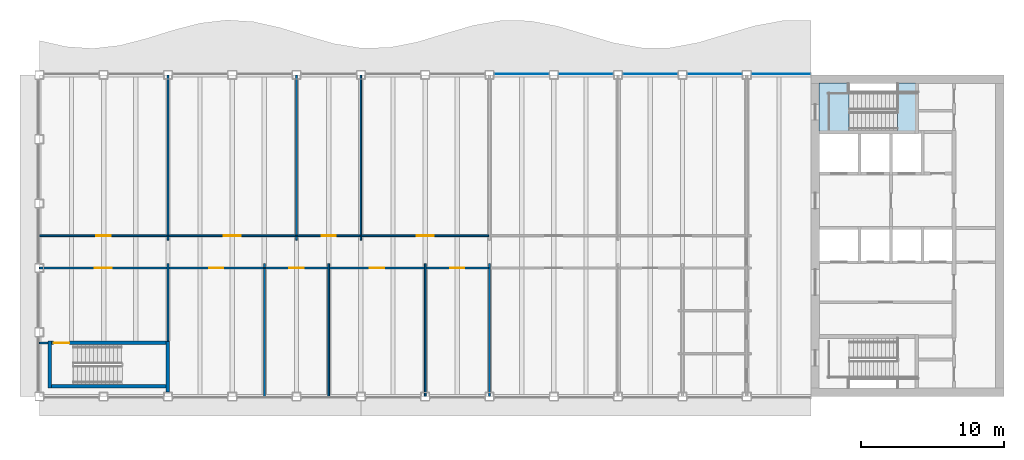
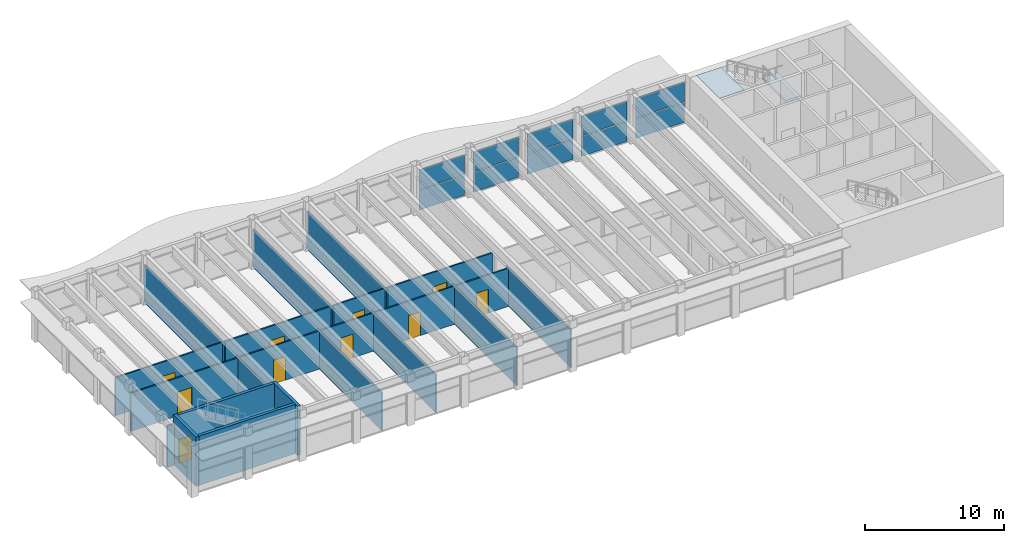
# One storey, part 8 of 14: 22 walls, 10 doors, 10 plates, 2 slabs, 10 openings, 6 elements without a shape of their own.
"""IFC4 building model written with IfcOpenShell, lengths in metres."""

import ifcopenshell
import ifcopenshell.guid

model = None  # the IFC model being written
_history = None  # IfcOwnerHistory: only IFC2X3 demands one
_inside = {}  # id of a spatial element -> (the spatial element, [elements in it])
_under = {}  # id of a project, library or spatial element -> (it, [spatial elements below it])
_declared = {}  # id of a project -> (the project, [libraries it declares])
_typed = {}  # id of a type object -> (the type object, [elements of that type])
_made_of = {}  # id of a material, layer set ... -> (it, [elements and type objects made of it])


def new_model(schema):
    """Start an empty IFC model of exactly this schema.

    Asked for "IFC4X3", IfcOpenShell would pick the latest addendum, in which some entities
    have other attributes; the version numbers below select the first issue.
    IFC2X3 requires an IfcOwnerHistory on every rooted entity: one is made here for all.
    """
    global model, _history
    if schema == "IFC4X3":
        model = ifcopenshell.file(schema_version=(4, 3, 0, 0))
    else:
        model = ifcopenshell.file(schema=schema)
    _inside.clear()
    _under.clear()
    _declared.clear()
    _typed.clear()
    _made_of.clear()
    _history = None
    if model.schema == "IFC2X3":
        org = make("IfcOrganization", Name="unknown")
        user = make(
            "IfcPersonAndOrganization",
            ThePerson=make("IfcPerson", FamilyName="unknown"),
            TheOrganization=org,
        )
        app = make(
            "IfcApplication",
            ApplicationDeveloper=org,
            Version="unknown",
            ApplicationFullName="unknown",
            ApplicationIdentifier="unknown",
        )
        _history = make(
            "IfcOwnerHistory",
            OwningUser=user,
            OwningApplication=app,
            ChangeAction="ADDED",
            CreationDate=0,
        )
    return model


def make(cls, **values):
    """One entity of the class cls with the attributes given. An attribute that is None is left unset."""
    return model.create_entity(
        cls, **{name: value for name, value in values.items() if value is not None}
    )


def rooted(cls, **values):
    """An entity with a GlobalId (a new one), such as an element, a storey or a relation."""
    return make(cls, GlobalId=ifcopenshell.guid.new(), OwnerHistory=_history, **values)


def si_unit(unit_type, name, prefix=None):
    """IfcSIUnit, for example si_unit("LENGTHUNIT", "METRE", prefix="MILLI")."""
    return make("IfcSIUnit", UnitType=unit_type, Prefix=prefix, Name=name)


def assignment(units):
    """IfcUnitAssignment: the units of a project."""
    return None if units is None else make("IfcUnitAssignment", Units=units)


def point(xyz):
    """IfcCartesianPoint."""
    return None if xyz is None else make("IfcCartesianPoint", Coordinates=xyz)


def direction(xyz):
    """IfcDirection."""
    return None if xyz is None else make("IfcDirection", DirectionRatios=xyz)


def frame(location, z_axis=None, x_axis=None):
    """IfcAxis2Placement3D, a coordinate frame: its origin and axes. An axis left out is left unset."""
    return make(
        "IfcAxis2Placement3D",
        Location=point(location),
        Axis=direction(z_axis),
        RefDirection=direction(x_axis),
    )


def frame_2d(location, x_axis=None):
    """IfcAxis2Placement2D, a coordinate frame in the plane: its origin and x axis."""
    return make(
        "IfcAxis2Placement2D", Location=point(location), RefDirection=direction(x_axis)
    )


def origin():
    """The frame at (0, 0, 0) with its axes left unset."""
    return frame((0.0, 0.0, 0.0))


def origin_2d():
    """The frame at (0, 0) in the plane with its x axis left unset."""
    return frame_2d((0.0, 0.0))


def place(relative_to, where):
    """IfcLocalPlacement: puts the frame where relative to a parent placement (None: the world)."""
    return make(
        "IfcLocalPlacement", PlacementRelTo=relative_to, RelativePlacement=where
    )


def context(
    kind, dimensions, precision=None, world=None, true_north=None, identifier=None
):
    """IfcGeometricRepresentationContext, for example the 3D "Model" context."""
    return make(
        "IfcGeometricRepresentationContext",
        ContextIdentifier=identifier,
        ContextType=kind,
        CoordinateSpaceDimension=dimensions,
        Precision=precision,
        WorldCoordinateSystem=world,
        TrueNorth=true_north,
    )


def subcontext(parent, identifier, kind, view, scale=None):
    """IfcGeometricRepresentationSubContext, for example "Body" below "Model"."""
    return make(
        "IfcGeometricRepresentationSubContext",
        ContextIdentifier=identifier,
        ContextType=kind,
        ParentContext=parent,
        TargetScale=scale,
        TargetView=view,
    )


def project(units=None, contexts=None):
    """IfcProject with its units and contexts."""
    return rooted(
        "IfcProject",
        Name="project",
        RepresentationContexts=contexts,
        UnitsInContext=assignment(units),
    )


def spatial(cls, under=None, at=None, **own):
    """A site, building, storey or space (cls), placed at a placement, below another one or the project."""
    s = rooted(cls, ObjectPlacement=at, **own)
    if under is not None:
        _under.setdefault(under.id(), (under, []))[1].append(s)
    return s


def polyline(points):
    """IfcPolyline through the points."""
    return make("IfcPolyline", Points=[point(p) for p in points])


def profile(cls, at=None, kind="AREA", **sizes):
    """A parametric profile (cls). Its sizes go by their IFC names, for example OverallWidth=200.0."""
    return make(cls, ProfileType=kind, Position=at, **sizes)


def rectangle(**sizes):
    """IfcRectangleProfileDef."""
    return profile("IfcRectangleProfileDef", **sizes)


def outline(outer, holes=None, kind="AREA"):
    """IfcArbitraryClosedProfileDef: a profile drawn as a closed curve; with holes, ...WithVoids."""
    if holes is None:
        return make("IfcArbitraryClosedProfileDef", ProfileType=kind, OuterCurve=outer)
    return make(
        "IfcArbitraryProfileDefWithVoids",
        ProfileType=kind,
        OuterCurve=outer,
        InnerCurves=holes,
    )


def extrude(swept, where, along, depth):
    """IfcExtrudedAreaSolid: the profile swept, set in the frame where, extruded along a direction by depth."""
    return make(
        "IfcExtrudedAreaSolid",
        SweptArea=swept,
        Position=where,
        ExtrudedDirection=direction(along),
        Depth=depth,
    )


def shape(context_of_items, identifier, shape_type, items):
    """IfcShapeRepresentation: the items that make up one representation, for example the "Body"."""
    return make(
        "IfcShapeRepresentation",
        ContextOfItems=context_of_items,
        RepresentationIdentifier=identifier,
        RepresentationType=shape_type,
        Items=items,
    )


def material(Name=None, Category=None):
    """IfcMaterial."""
    return make("IfcMaterial", Name=Name, Category=Category)


def layer(
    of_material, thickness, ventilated=None, Name=None, Category=None, Priority=None
):
    """IfcMaterialLayer: one layer of a wall or slab, of a material (None: an air gap)."""
    return make(
        "IfcMaterialLayer",
        Material=of_material,
        LayerThickness=thickness,
        IsVentilated=ventilated,
        Name=Name,
        Category=Category,
        Priority=Priority,
    )


def layer_set(layers, Name=None):
    """IfcMaterialLayerSet."""
    return make("IfcMaterialLayerSet", MaterialLayers=layers, LayerSetName=Name)


def made_of(thing, what):
    """Note that an element or type object is made of a material, layer set ...; save() writes the relation."""
    if what is not None:
        _made_of.setdefault(what.id(), (what, []))[1].append(thing)
    return thing


def type_object(cls, material=None, **own):
    """A type object (cls), such as IfcWallType, which elements share."""
    return made_of(rooted(cls, **own), material)


def element(
    cls,
    number,
    at=None,
    inside=None,
    cuts=None,
    type_object=None,
    material=None,
    context=None,
    identifier="Body",
    shape_type=None,
    held_by="IfcProductDefinitionShape",
    body=None,
    shapes=None,
    **own,
):
    """One element of the class cls, such as IfcWall. Its Tag is "e" and its number.

    at: its placement. inside: the storey or other place that contains it. cuts: it is an
    opening in that element (IfcRelVoidsElement). A single representation is given by context,
    identifier, shape_type and body (its items); several are given by shapes. held_by: the class
    of the entity that holds the representations. save() writes the other relations.
    """
    e = rooted(cls, Tag="e%d" % number, ObjectPlacement=at, **own)
    if body is not None:
        shapes = [shape(context, identifier, shape_type, body)]
    if shapes is not None:
        e.Representation = make(held_by, Representations=shapes)
    if inside is not None:
        _inside.setdefault(inside.id(), (inside, []))[1].append(e)
    if cuts is not None:
        rooted(
            "IfcRelVoidsElement", RelatingBuildingElement=cuts, RelatedOpeningElement=e
        )
    if type_object is not None:
        _typed.setdefault(type_object.id(), (type_object, []))[1].append(e)
    return made_of(e, material)


def fill(opening, filler):
    """IfcRelFillsElement: the door or window that sits in an opening."""
    return rooted(
        "IfcRelFillsElement",
        RelatingOpeningElement=opening,
        RelatedBuildingElement=filler,
    )


def aggregate(whole, parts):
    """IfcRelAggregates: a whole, such as a stair, and the parts it consists of."""
    return rooted("IfcRelAggregates", RelatingObject=whole, RelatedObjects=parts)


def save(model, path):
    """Write the relations noted so far, then the file.

    IfcRelAggregates (storeys below a building ...), IfcRelContainedInSpatialStructure (elements
    in a storey), IfcRelDefinesByType, IfcRelAssociatesMaterial and IfcRelDeclares: one each for
    every whole, place, type object, material and project.
    """
    for whole, parts in _under.values():
        aggregate(whole, parts)
    for where, things in _inside.values():
        rooted(
            "IfcRelContainedInSpatialStructure",
            RelatedElements=things,
            RelatingStructure=where,
        )
    for kind, things in _typed.values():
        rooted("IfcRelDefinesByType", RelatedObjects=things, RelatingType=kind)
    for what, things in _made_of.values():
        rooted("IfcRelAssociatesMaterial", RelatedObjects=things, RelatingMaterial=what)
    for by, libraries in _declared.values():
        rooted("IfcRelDeclares", RelatingContext=by, RelatedDefinitions=libraries)
    model.write(path)


model = new_model("IFC4")

# Units and contexts
model_context = context("Model", 3, precision=1e-05, world=origin(), true_north=direction((0.0, 1.0)))
body_context = subcontext(model_context, "Body", "Model", "MODEL_VIEW")
ifc_project = project(units=[si_unit("LENGTHUNIT", "METRE"), si_unit("AREAUNIT", "SQUARE_METRE"), si_unit("VOLUMEUNIT", "CUBIC_METRE"), si_unit("PLANEANGLEUNIT", "RADIAN"), si_unit("MASSUNIT", "GRAM", prefix="KILO")], contexts=[model_context])

# Site, building, storey
site_placement = place(None, origin())
site = spatial("IfcSite", under=ifc_project, at=site_placement, CompositionType="ELEMENT")
building_placement = place(site_placement, origin())
building = spatial("IfcBuilding", under=site, at=building_placement, Name="Sennacour Bend Tower", CompositionType="ELEMENT")
storey_placement = place(building_placement, frame((0.0, 0.0, 332.0)))
storey = spatial("IfcBuildingStorey", under=building, at=storey_placement, Name="L76", CompositionType="ELEMENT", Elevation=332.0)

# Curtain wall, plates
ifc_material_1 = material(Name="Bronze anodised aluminium curtain wall with clear glass", Category="aluminium")
curtain_wall_type = type_object("IfcCurtainWallType", Name="CURTAIN WALL EXEC", PredefinedType="NOTDEFINED", material=ifc_material_1)
curtain_wall_1_placement = place(storey_placement, origin())
curtain_wall_1 = element("IfcCurtainWall", 1, at=curtain_wall_1_placement, inside=storey, type_object=curtain_wall_type, Name="Executive floor glass wall L76", PredefinedType="NOTDEFINED")
ifc_material_2 = material(Name="Clear low-emissivity glass", Category="glass")
ifc_layer_1 = layer(ifc_material_2, 0.031982421875, Name="Clear low-emissivity glass", Category="glass")
ifc_layer_set_1 = layer_set([ifc_layer_1], Name="Clear low-emissivity glass")
plate_type = type_object("IfcPlateType", Name="PNL-GLASS-IGU32", PredefinedType="CURTAIN_PANEL", material=ifc_layer_set_1)
plate_1_placement = place(storey_placement, frame((51.89990234375, 22.574951171875, 0.06005859375), z_axis=(0.0, 0.0, 1.0), x_axis=(-1.0, 0.0, 0.0)))
plate_1 = element("IfcPlate", 2, at=plate_1_placement, type_object=plate_type, Name="GW3 curtain wall panel 1.1", PredefinedType="CURTAIN_PANEL", context=body_context, shape_type="SweptSolid", body=[
    extrude(rectangle(XDim=4.080078125, YDim=0.031982421875, at=origin_2d()), origin(), (0.0, 0.0, 1.0), 1.74609375),
])
plate_2_placement = place(storey_placement, frame((51.89990234375, 22.574951171875, 1.865966796875), z_axis=(0.0, 0.0, 1.0), x_axis=(-1.0, 0.0, 0.0)))
plate_2 = element("IfcPlate", 3, at=plate_2_placement, type_object=plate_type, Name="GW3 curtain wall panel 1.2", PredefinedType="CURTAIN_PANEL", context=body_context, shape_type="SweptSolid", body=[
    extrude(rectangle(XDim=4.080078125, YDim=0.031982421875, at=origin_2d()), origin(), (0.0, 0.0, 1.0), 1.74609375),
])
aggregate(curtain_wall_1, [plate_1, plate_2])

curtain_wall_2_placement = place(storey_placement, origin())
curtain_wall_2 = element("IfcCurtainWall", 4, at=curtain_wall_2_placement, inside=storey, type_object=curtain_wall_type, Name="Executive floor glass wall L76", PredefinedType="NOTDEFINED")
plate_3_placement = place(storey_placement, frame((47.25, 22.574951171875, 0.06005859375), z_axis=(0.0, 0.0, 1.0), x_axis=(-1.0, 0.0, 0.0)))
plate_3 = element("IfcPlate", 5, at=plate_3_placement, type_object=plate_type, Name="GW3 curtain wall panel 1.1", PredefinedType="CURTAIN_PANEL", context=body_context, shape_type="SweptSolid", body=[
    extrude(rectangle(XDim=3.780029296875, YDim=0.031982421875, at=origin_2d()), origin(), (0.0, 0.0, 1.0), 1.74609375),
])
plate_4_placement = place(storey_placement, frame((47.25, 22.574951171875, 1.865966796875), z_axis=(0.0, 0.0, 1.0), x_axis=(-1.0, 0.0, 0.0)))
plate_4 = element("IfcPlate", 6, at=plate_4_placement, type_object=plate_type, Name="GW3 curtain wall panel 1.2", PredefinedType="CURTAIN_PANEL", context=body_context, shape_type="SweptSolid", body=[
    extrude(rectangle(XDim=3.780029296875, YDim=0.031982421875, at=origin_2d()), origin(), (0.0, 0.0, 1.0), 1.74609375),
])
aggregate(curtain_wall_2, [plate_3, plate_4])

curtain_wall_3_placement = place(storey_placement, origin())
curtain_wall_3 = element("IfcCurtainWall", 7, at=curtain_wall_3_placement, inside=storey, type_object=curtain_wall_type, Name="Executive floor glass wall L76", PredefinedType="NOTDEFINED")
plate_5_placement = place(storey_placement, frame((42.75, 22.574951171875, 0.06005859375), z_axis=(0.0, 0.0, 1.0), x_axis=(-1.0, 0.0, 0.0)))
plate_5 = element("IfcPlate", 8, at=plate_5_placement, type_object=plate_type, Name="GW3 curtain wall panel 1.1", PredefinedType="CURTAIN_PANEL", context=body_context, shape_type="SweptSolid", body=[
    extrude(rectangle(XDim=3.780029296875, YDim=0.031982421875, at=origin_2d()), origin(), (0.0, 0.0, 1.0), 1.74609375),
])
plate_6_placement = place(storey_placement, frame((42.75, 22.574951171875, 1.865966796875), z_axis=(0.0, 0.0, 1.0), x_axis=(-1.0, 0.0, 0.0)))
plate_6 = element("IfcPlate", 9, at=plate_6_placement, type_object=plate_type, Name="GW3 curtain wall panel 1.2", PredefinedType="CURTAIN_PANEL", context=body_context, shape_type="SweptSolid", body=[
    extrude(rectangle(XDim=3.780029296875, YDim=0.031982421875, at=origin_2d()), origin(), (0.0, 0.0, 1.0), 1.74609375),
])
aggregate(curtain_wall_3, [plate_5, plate_6])

curtain_wall_4_placement = place(storey_placement, origin())
curtain_wall_4 = element("IfcCurtainWall", 10, at=curtain_wall_4_placement, inside=storey, type_object=curtain_wall_type, Name="Executive floor glass wall L76", PredefinedType="NOTDEFINED")
plate_7_placement = place(storey_placement, frame((38.25, 22.574951171875, 0.06005859375), z_axis=(0.0, 0.0, 1.0), x_axis=(-1.0, 0.0, 0.0)))
plate_7 = element("IfcPlate", 11, at=plate_7_placement, type_object=plate_type, Name="GW3 curtain wall panel 1.1", PredefinedType="CURTAIN_PANEL", context=body_context, shape_type="SweptSolid", body=[
    extrude(rectangle(XDim=3.780029296875, YDim=0.031982421875, at=origin_2d()), origin(), (0.0, 0.0, 1.0), 1.74609375),
])
plate_8_placement = place(storey_placement, frame((38.25, 22.574951171875, 1.865966796875), z_axis=(0.0, 0.0, 1.0), x_axis=(-1.0, 0.0, 0.0)))
plate_8 = element("IfcPlate", 12, at=plate_8_placement, type_object=plate_type, Name="GW3 curtain wall panel 1.2", PredefinedType="CURTAIN_PANEL", context=body_context, shape_type="SweptSolid", body=[
    extrude(rectangle(XDim=3.780029296875, YDim=0.031982421875, at=origin_2d()), origin(), (0.0, 0.0, 1.0), 1.74609375),
])
aggregate(curtain_wall_4, [plate_7, plate_8])

curtain_wall_5_placement = place(storey_placement, origin())
curtain_wall_5 = element("IfcCurtainWall", 13, at=curtain_wall_5_placement, inside=storey, type_object=curtain_wall_type, Name="Executive floor glass wall L76", PredefinedType="NOTDEFINED")
plate_9_placement = place(storey_placement, frame((33.75, 22.574951171875, 0.06005859375), z_axis=(0.0, 0.0, 1.0), x_axis=(-1.0, 0.0, 0.0)))
plate_9 = element("IfcPlate", 14, at=plate_9_placement, type_object=plate_type, Name="GW3 curtain wall panel 1.1", PredefinedType="CURTAIN_PANEL", context=body_context, shape_type="SweptSolid", body=[
    extrude(rectangle(XDim=3.780029296875, YDim=0.031982421875, at=origin_2d()), origin(), (0.0, 0.0, 1.0), 1.74609375),
])
plate_10_placement = place(storey_placement, frame((33.75, 22.574951171875, 1.865966796875), z_axis=(0.0, 0.0, 1.0), x_axis=(-1.0, 0.0, 0.0)))
plate_10 = element("IfcPlate", 15, at=plate_10_placement, type_object=plate_type, Name="GW3 curtain wall panel 1.2", PredefinedType="CURTAIN_PANEL", context=body_context, shape_type="SweptSolid", body=[
    extrude(rectangle(XDim=3.780029296875, YDim=0.031982421875, at=origin_2d()), origin(), (0.0, 0.0, 1.0), 1.74609375),
])
aggregate(curtain_wall_5, [plate_9, plate_10])

# Slab
ifc_material_3 = material(Name="Concrete C40/50", Category="concrete")
ifc_layer_2 = layer(ifc_material_3, 0.034912109375, Name="Concrete C40/50", Category="concrete")
ifc_layer_set_2 = layer_set([ifc_layer_2], Name="Concrete C40/50")
slab_type_1 = type_object("IfcSlabType", Name="Stair arrival nib 35", PredefinedType="FLOOR", material=ifc_layer_set_2)
slab_1_placement = place(storey_placement, frame((0.0, 0.0, 4.315185546875)))
element("IfcSlab", 16, at=slab_1_placement, inside=storey, type_object=slab_type_1, Name="L76 SA2 stair arrival nib", PredefinedType="FLOOR", context=body_context, shape_type="SweptSolid", body=[
    extrude(outline(polyline([(56.64208984375, 21.949951171875), (54.550048828125, 21.949951171875), (54.550048828125, 18.574951171875), (56.64208984375, 18.574951171875), (56.64208984375, 21.949951171875)])), origin(), (0.0, 0.0, 1.0), 0.034912109375),
])

# Stair, slab
stair_type = type_object("IfcStairType", Name="ST-DOGLEG", PredefinedType="HALF_TURN_STAIR", material=ifc_material_3)
stair_placement = place(storey_placement, origin())
stair = element("IfcStair", 17, at=stair_placement, inside=storey, type_object=stair_type, Name="L76 Exit stair A2", PredefinedType="HALF_TURN_STAIR")
ifc_layer_3 = layer(ifc_material_3, 0.199951171875, Name="Concrete C40/50", Category="concrete")
ifc_layer_set_3 = layer_set([ifc_layer_3], Name="Concrete C40/50")
slab_type_2 = type_object("IfcSlabType", Name="Stair landing 200", PredefinedType="LANDING", material=ifc_layer_set_3)
slab_2_placement = place(storey_placement, frame((0.0, 0.0, 2.050048828125)))
slab_2 = element("IfcSlab", 18, at=slab_2_placement, type_object=slab_type_2, Name="SA2 landing 1", PredefinedType="LANDING", context=body_context, shape_type="SweptSolid", body=[
    extrude(outline(polyline([(60.06005859375, 18.574951171875), (61.324951171875, 18.574951171875), (61.324951171875, 21.949951171875), (60.06005859375, 21.949951171875), (60.06005859375, 18.574951171875)])), origin(), (0.0, 0.0, 1.0), 0.199951171875),
])
aggregate(stair, [slab_2])

# Walls
ifc_material_4 = material(Name="Plasterboard partition on steel studs", Category="steel")
ifc_layer_4 = layer(ifc_material_4, 0.1201171875, Name="Plasterboard partition on steel studs", Category="steel")
ifc_layer_set_4 = layer_set([ifc_layer_4], Name="Plasterboard partition on steel studs")
wall_type_1 = type_object("IfcWallType", Name="Partition 120", PredefinedType="PARTITIONING", material=ifc_layer_set_4)
wall_1_placement = place(storey_placement, frame((9.0, 3.875, 0.0), z_axis=(0.0, 0.0, 1.0), x_axis=(0.0, 1.0, 0.0)))
element("IfcWall", 19, at=wall_1_placement, inside=storey, type_object=wall_type_1, Name="P-L76-W005a", PredefinedType="PARTITIONING", context=body_context, shape_type="SweptSolid", body=[
    extrude(rectangle(XDim=5.425048828125, YDim=0.1201171875, at=frame_2d((2.71240234375, 0.0))), origin(), (0.0, 0.0, 1.0), 3.35888671875),
])
wall_2_placement = place(storey_placement, frame((9.0, 10.949951171875, 0.0), z_axis=(0.0, 0.0, 1.0), x_axis=(0.0, 1.0, 0.0)))
element("IfcWall", 20, at=wall_2_placement, inside=storey, type_object=wall_type_1, Name="P-L76-W006a", PredefinedType="PARTITIONING", context=body_context, shape_type="SweptSolid", body=[
    extrude(rectangle(XDim=11.5400390625, YDim=0.1201171875, at=frame_2d((5.77001953125, 0.0))), origin(), (0.0, 0.0, 1.0), 3.35888671875),
])
wall_3_placement = place(storey_placement, frame((15.75, 0.010009765625, 0.0), z_axis=(0.0, 0.0, 1.0), x_axis=(0.0, 1.0, 0.0)))
element("IfcWall", 21, at=wall_3_placement, inside=storey, type_object=wall_type_1, Name="P-L76-W007a", PredefinedType="PARTITIONING", context=body_context, shape_type="SweptSolid", body=[
    extrude(rectangle(XDim=9.2900390625, YDim=0.1201171875, at=frame_2d((4.64501953125, 0.0))), origin(), (0.0, 0.0, 1.0), 3.35888671875),
])
wall_4_placement = place(storey_placement, frame((18.0, 10.949951171875, 0.0), z_axis=(0.0, 0.0, 1.0), x_axis=(0.0, 1.0, 0.0)))
element("IfcWall", 22, at=wall_4_placement, inside=storey, type_object=wall_type_1, Name="P-L76-W008a", PredefinedType="PARTITIONING", context=body_context, shape_type="SweptSolid", body=[
    extrude(rectangle(XDim=11.5400390625, YDim=0.1201171875, at=frame_2d((5.77001953125, 0.0))), origin(), (0.0, 0.0, 1.0), 3.35888671875),
])
wall_5_placement = place(storey_placement, frame((20.25, 0.010009765625, 0.0), z_axis=(0.0, 0.0, 1.0), x_axis=(0.0, 1.0, 0.0)))
element("IfcWall", 23, at=wall_5_placement, inside=storey, type_object=wall_type_1, Name="P-L76-W009a", PredefinedType="PARTITIONING", context=body_context, shape_type="SweptSolid", body=[
    extrude(rectangle(XDim=9.2900390625, YDim=0.1201171875, at=frame_2d((4.64501953125, 0.0))), origin(), (0.0, 0.0, 1.0), 3.35888671875),
])
wall_6_placement = place(storey_placement, frame((22.5, 10.949951171875, 0.0), z_axis=(0.0, 0.0, 1.0), x_axis=(0.0, 1.0, 0.0)))
element("IfcWall", 24, at=wall_6_placement, inside=storey, type_object=wall_type_1, Name="P-L76-W010a", PredefinedType="PARTITIONING", context=body_context, shape_type="SweptSolid", body=[
    extrude(rectangle(XDim=11.5400390625, YDim=0.1201171875, at=frame_2d((5.77001953125, 0.0))), origin(), (0.0, 0.0, 1.0), 3.35888671875),
])
for number, where, z_axis, x_axis, name in (
    (25, (27.0, 0.010009765625, 0.0), (0.0, 0.0, 1.0), (0.0, 1.0, 0.0), "P-L76-W011a"),
    (26, (31.5, 0.010009765625, 0.0), (0.0, 0.0, 1.0), (0.0, 1.0, 0.0), "P-L76-W012a"),
):
    element("IfcWall", number, at=place(storey_placement, frame(where, z_axis=z_axis, x_axis=x_axis)), inside=storey, type_object=wall_type_1, Name=name, PredefinedType="PARTITIONING", context=body_context, shape_type="SweptSolid", body=[
        extrude(rectangle(XDim=9.2900390625, YDim=0.1201171875, at=frame_2d((4.64501953125, 0.0))), origin(), (0.0, 0.0, 1.0), 3.35888671875),
    ])
wall_7_placement = place(storey_placement, frame((0.010009765625, 3.75, 0.0), z_axis=(0.0, 0.0, 1.0), x_axis=(1.0, 0.0, 0.0)))
element("IfcWall", 27, at=wall_7_placement, inside=storey, type_object=wall_type_1, Name="P-L76-W034a", PredefinedType="PARTITIONING", context=body_context, shape_type="SweptSolid", body=[
    extrude(rectangle(XDim=0.590087890625, YDim=0.1201171875, at=frame_2d((0.294921875, 0.0))), origin(), (0.0, 0.0, 1.0), 3.672119140625),
])

# Wall, opening, door
wall_8_placement = place(storey_placement, frame((9.06005859375, 9.0, 0.0), z_axis=(0.0, 0.0, 1.0), x_axis=(1.0, 0.0, 0.0)))
wall_8 = element("IfcWall", 28, at=wall_8_placement, inside=storey, type_object=wall_type_1, Name="P-L76-W040ab", PredefinedType="PARTITIONING", context=body_context, shape_type="SweptSolid", body=[
    extrude(rectangle(XDim=6.6298828125, YDim=0.1201171875, at=frame_2d((3.31494140625, 0.0))), origin(), (0.0, 0.0, 1.0), 3.35888671875),
])
opening_1_placement = place(wall_8_placement, frame((2.81494140625, 0.0, 0.0)))
opening_1 = element("IfcOpeningElement", 29, at=opening_1_placement, cuts=wall_8, Name="Opening OD2", PredefinedType="OPENING", context=body_context, shape_type="SweptSolid", body=[
    extrude(rectangle(XDim=1.0, YDim=2.10009765625, at=frame_2d((0.5, 1.050048828125))), frame((0.0, 0.070068359375, 0.0), z_axis=(0.0, -1.0, 0.0), x_axis=(1.0, 0.0, 0.0)), (0.0, 0.0, 1.0), 0.14013671875),
])
ifc_material_5 = material(Name="Timber", Category="wood")
door_type_1 = type_object("IfcDoorType", Name="DR-OFFICE-1000", OperationType="NOTDEFINED", PredefinedType="DOOR", material=ifc_material_5)
door_1_placement = place(opening_1_placement, origin())
door_1 = element("IfcDoor", 30, at=door_1_placement, inside=storey, type_object=door_type_1, Name="Door", OperationType="SINGLE_SWING_LEFT", OverallHeight=2.10009765625, OverallWidth=1.0, PredefinedType="DOOR", context=body_context, shape_type="SweptSolid", body=[
    extrude(rectangle(XDim=1.0, YDim=2.10009765625, at=frame_2d((0.5, 1.050048828125))), frame((0.0, 0.02490234375, 0.0), z_axis=(0.0, -1.0, 0.0), x_axis=(1.0, 0.0, 0.0)), (0.0, 0.0, 1.0), 0.050048828125),
])
fill(opening_1, door_1)

wall_9_placement = place(storey_placement, frame((15.81005859375, 9.0, 0.0), z_axis=(0.0, 0.0, 1.0), x_axis=(1.0, 0.0, 0.0)))
wall_9 = element("IfcWall", 31, at=wall_9_placement, inside=storey, type_object=wall_type_1, Name="P-L76-W040ac", PredefinedType="PARTITIONING", context=body_context, shape_type="SweptSolid", body=[
    extrude(rectangle(XDim=4.3798828125, YDim=0.1201171875, at=frame_2d((2.18994140625, 0.0))), origin(), (0.0, 0.0, 1.0), 3.35888671875),
])
opening_2_placement = place(wall_9_placement, frame((1.68994140625, 0.0, 0.0)))
opening_2 = element("IfcOpeningElement", 32, at=opening_2_placement, cuts=wall_9, Name="Opening OD2", PredefinedType="OPENING", context=body_context, shape_type="SweptSolid", body=[
    extrude(rectangle(XDim=1.0, YDim=2.10009765625, at=frame_2d((0.5, 1.050048828125))), frame((0.0, 0.070068359375, 0.0), z_axis=(0.0, -1.0, 0.0), x_axis=(1.0, 0.0, 0.0)), (0.0, 0.0, 1.0), 0.14013671875),
])
door_2_placement = place(opening_2_placement, origin())
door_2 = element("IfcDoor", 33, at=door_2_placement, inside=storey, type_object=door_type_1, Name="Door", OperationType="SINGLE_SWING_LEFT", OverallHeight=2.10009765625, OverallWidth=1.0, PredefinedType="DOOR", context=body_context, shape_type="SweptSolid", body=[
    extrude(rectangle(XDim=1.0, YDim=2.10009765625, at=frame_2d((0.5, 1.050048828125))), frame((0.0, 0.02490234375, 0.0), z_axis=(0.0, -1.0, 0.0), x_axis=(1.0, 0.0, 0.0)), (0.0, 0.0, 1.0), 0.050048828125),
])
fill(opening_2, door_2)

wall_10_placement = place(storey_placement, frame((20.31005859375, 9.0, 0.0), z_axis=(0.0, 0.0, 1.0), x_axis=(1.0, 0.0, 0.0)))
wall_10 = element("IfcWall", 34, at=wall_10_placement, inside=storey, type_object=wall_type_1, Name="P-L76-W040ad", PredefinedType="PARTITIONING", context=body_context, shape_type="SweptSolid", body=[
    extrude(rectangle(XDim=6.6298828125, YDim=0.1201171875, at=frame_2d((3.31494140625, 0.0))), origin(), (0.0, 0.0, 1.0), 3.35888671875),
])
opening_3_placement = place(wall_10_placement, frame((2.81494140625, 0.0, 0.0)))
opening_3 = element("IfcOpeningElement", 35, at=opening_3_placement, cuts=wall_10, Name="Opening OD2", PredefinedType="OPENING", context=body_context, shape_type="SweptSolid", body=[
    extrude(rectangle(XDim=1.0, YDim=2.10009765625, at=frame_2d((0.5, 1.050048828125))), frame((0.0, 0.070068359375, 0.0), z_axis=(0.0, -1.0, 0.0), x_axis=(1.0, 0.0, 0.0)), (0.0, 0.0, 1.0), 0.14013671875),
])
door_3_placement = place(opening_3_placement, origin())
door_3 = element("IfcDoor", 36, at=door_3_placement, inside=storey, type_object=door_type_1, Name="Door", OperationType="SINGLE_SWING_LEFT", OverallHeight=2.10009765625, OverallWidth=1.0, PredefinedType="DOOR", context=body_context, shape_type="SweptSolid", body=[
    extrude(rectangle(XDim=1.0, YDim=2.10009765625, at=frame_2d((0.5, 1.050048828125))), frame((0.0, 0.02490234375, 0.0), z_axis=(0.0, -1.0, 0.0), x_axis=(1.0, 0.0, 0.0)), (0.0, 0.0, 1.0), 0.050048828125),
])
fill(opening_3, door_3)

wall_11_placement = place(storey_placement, frame((27.06005859375, 9.0, 0.0), z_axis=(0.0, 0.0, 1.0), x_axis=(1.0, 0.0, 0.0)))
wall_11 = element("IfcWall", 37, at=wall_11_placement, inside=storey, type_object=wall_type_1, Name="P-L76-W040ae", PredefinedType="PARTITIONING", context=body_context, shape_type="SweptSolid", body=[
    extrude(rectangle(XDim=4.3798828125, YDim=0.1201171875, at=frame_2d((2.18994140625, 0.0))), origin(), (0.0, 0.0, 1.0), 3.35888671875),
])
opening_4_placement = place(wall_11_placement, frame((1.68994140625, 0.0, 0.0)))
opening_4 = element("IfcOpeningElement", 38, at=opening_4_placement, cuts=wall_11, Name="Opening OD2", PredefinedType="OPENING", context=body_context, shape_type="SweptSolid", body=[
    extrude(rectangle(XDim=1.0, YDim=2.10009765625, at=frame_2d((0.5, 1.050048828125))), frame((0.0, 0.070068359375, 0.0), z_axis=(0.0, -1.0, 0.0), x_axis=(1.0, 0.0, 0.0)), (0.0, 0.0, 1.0), 0.14013671875),
])
door_4_placement = place(opening_4_placement, origin())
door_4 = element("IfcDoor", 39, at=door_4_placement, inside=storey, type_object=door_type_1, Name="Door", OperationType="SINGLE_SWING_LEFT", OverallHeight=2.10009765625, OverallWidth=1.0, PredefinedType="DOOR", context=body_context, shape_type="SweptSolid", body=[
    extrude(rectangle(XDim=1.0, YDim=2.10009765625, at=frame_2d((0.5, 1.050048828125))), frame((0.0, 0.02490234375, 0.0), z_axis=(0.0, -1.0, 0.0), x_axis=(1.0, 0.0, 0.0)), (0.0, 0.0, 1.0), 0.050048828125),
])
fill(opening_4, door_4)

wall_12_placement = place(storey_placement, frame((0.010009765625, 11.25, 0.0), z_axis=(0.0, 0.0, 1.0), x_axis=(1.0, 0.0, 0.0)))
wall_12 = element("IfcWall", 40, at=wall_12_placement, inside=storey, type_object=wall_type_1, Name="P-L76-W043aa", PredefinedType="PARTITIONING", context=body_context, shape_type="SweptSolid", body=[
    extrude(rectangle(XDim=8.929931640625, YDim=0.1201171875, at=frame_2d((4.46484375, 0.0))), origin(), (0.0, 0.0, 1.0), 3.35888671875),
])
opening_5_placement = place(wall_12_placement, frame((3.97509765625, 0.0, 0.0)))
opening_5 = element("IfcOpeningElement", 41, at=opening_5_placement, cuts=wall_12, Name="Opening OD2", PredefinedType="OPENING", context=body_context, shape_type="SweptSolid", body=[
    extrude(rectangle(XDim=1.0, YDim=2.10009765625, at=frame_2d((0.5, 1.050048828125))), frame((0.0, 0.070068359375, 0.0), z_axis=(0.0, -1.0, 0.0), x_axis=(1.0, 0.0, 0.0)), (0.0, 0.0, 1.0), 0.14013671875),
])
door_5_placement = place(opening_5_placement, origin())
door_5 = element("IfcDoor", 42, at=door_5_placement, inside=storey, type_object=door_type_1, Name="Door", OperationType="SINGLE_SWING_RIGHT", OverallHeight=2.10009765625, OverallWidth=1.0, PredefinedType="DOOR", context=body_context, shape_type="SweptSolid", body=[
    extrude(rectangle(XDim=1.0, YDim=2.10009765625, at=frame_2d((0.5, 1.050048828125))), frame((0.0, 0.02490234375, 0.0), z_axis=(0.0, -1.0, 0.0), x_axis=(1.0, 0.0, 0.0)), (0.0, 0.0, 1.0), 0.050048828125),
])
fill(opening_5, door_5)

wall_13_placement = place(storey_placement, frame((9.06005859375, 11.25, 0.0), z_axis=(0.0, 0.0, 1.0), x_axis=(1.0, 0.0, 0.0)))
wall_13 = element("IfcWall", 43, at=wall_13_placement, inside=storey, type_object=wall_type_1, Name="P-L76-W043ab", PredefinedType="PARTITIONING", context=body_context, shape_type="SweptSolid", body=[
    extrude(rectangle(XDim=8.8798828125, YDim=0.1201171875, at=frame_2d((4.43994140625, 0.0))), origin(), (0.0, 0.0, 1.0), 3.35888671875),
])
opening_6_placement = place(wall_13_placement, frame((3.83984375, 0.0, 0.0)))
opening_6 = element("IfcOpeningElement", 44, at=opening_6_placement, cuts=wall_13, Name="Opening OD", PredefinedType="OPENING", context=body_context, shape_type="SweptSolid", body=[
    extrude(rectangle(XDim=1.199951171875, YDim=2.10009765625, at=frame_2d((0.60009765625, 1.050048828125))), frame((0.0, 0.070068359375, 0.0), z_axis=(0.0, -1.0, 0.0), x_axis=(1.0, 0.0, 0.0)), (0.0, 0.0, 1.0), 0.14013671875),
])
door_type_2 = type_object("IfcDoorType", Name="DR-OFFICE-1200", OperationType="NOTDEFINED", PredefinedType="DOOR", material=ifc_material_5)
door_6_placement = place(opening_6_placement, origin())
door_6 = element("IfcDoor", 45, at=door_6_placement, inside=storey, type_object=door_type_2, Name="Door", OperationType="SINGLE_SWING_LEFT", OverallHeight=2.10009765625, OverallWidth=1.199951171875, PredefinedType="DOOR", context=body_context, shape_type="SweptSolid", body=[
    extrude(rectangle(XDim=1.199951171875, YDim=2.10009765625, at=frame_2d((0.60009765625, 1.050048828125))), frame((0.0, 0.02490234375, 0.0), z_axis=(0.0, -1.0, 0.0), x_axis=(1.0, 0.0, 0.0)), (0.0, 0.0, 1.0), 0.050048828125),
])
fill(opening_6, door_6)

wall_14_placement = place(storey_placement, frame((18.06005859375, 11.25, 0.0), z_axis=(0.0, 0.0, 1.0), x_axis=(1.0, 0.0, 0.0)))
wall_14 = element("IfcWall", 46, at=wall_14_placement, inside=storey, type_object=wall_type_1, Name="P-L76-W043ac", PredefinedType="PARTITIONING", context=body_context, shape_type="SweptSolid", body=[
    extrude(rectangle(XDim=4.3798828125, YDim=0.1201171875, at=frame_2d((2.18994140625, 0.0))), origin(), (0.0, 0.0, 1.0), 3.35888671875),
])
opening_7_placement = place(wall_14_placement, frame((1.68994140625, 0.0, 0.0)))
opening_7 = element("IfcOpeningElement", 47, at=opening_7_placement, cuts=wall_14, Name="Opening OD2", PredefinedType="OPENING", context=body_context, shape_type="SweptSolid", body=[
    extrude(rectangle(XDim=1.0, YDim=2.10009765625, at=frame_2d((0.5, 1.050048828125))), frame((0.0, 0.070068359375, 0.0), z_axis=(0.0, -1.0, 0.0), x_axis=(1.0, 0.0, 0.0)), (0.0, 0.0, 1.0), 0.14013671875),
])
door_7_placement = place(opening_7_placement, origin())
door_7 = element("IfcDoor", 48, at=door_7_placement, inside=storey, type_object=door_type_1, Name="Door", OperationType="SINGLE_SWING_LEFT", OverallHeight=2.10009765625, OverallWidth=1.0, PredefinedType="DOOR", context=body_context, shape_type="SweptSolid", body=[
    extrude(rectangle(XDim=1.0, YDim=2.10009765625, at=frame_2d((0.5, 1.050048828125))), frame((0.0, 0.02490234375, 0.0), z_axis=(0.0, -1.0, 0.0), x_axis=(1.0, 0.0, 0.0)), (0.0, 0.0, 1.0), 0.050048828125),
])
fill(opening_7, door_7)

wall_15_placement = place(storey_placement, frame((22.56005859375, 11.25, 0.0), z_axis=(0.0, 0.0, 1.0), x_axis=(1.0, 0.0, 0.0)))
wall_15 = element("IfcWall", 49, at=wall_15_placement, inside=storey, type_object=wall_type_1, Name="P-L76-W043ad", PredefinedType="PARTITIONING", context=body_context, shape_type="SweptSolid", body=[
    extrude(rectangle(XDim=8.8798828125, YDim=0.1201171875, at=frame_2d((4.43994140625, 0.0))), origin(), (0.0, 0.0, 1.0), 3.35888671875),
])
opening_8_placement = place(wall_15_placement, frame((3.83984375, 0.0, 0.0)))
opening_8 = element("IfcOpeningElement", 50, at=opening_8_placement, cuts=wall_15, Name="Opening MD", PredefinedType="OPENING", context=body_context, shape_type="SweptSolid", body=[
    extrude(rectangle(XDim=1.199951171875, YDim=2.10009765625, at=frame_2d((0.60009765625, 1.050048828125))), frame((0.0, 0.070068359375, 0.0), z_axis=(0.0, -1.0, 0.0), x_axis=(1.0, 0.0, 0.0)), (0.0, 0.0, 1.0), 0.14013671875),
])
door_type_3 = type_object("IfcDoorType", Name="DR-MEETING-1200", OperationType="NOTDEFINED", PredefinedType="DOOR", material=ifc_material_5)
door_8_placement = place(opening_8_placement, origin())
door_8 = element("IfcDoor", 51, at=door_8_placement, inside=storey, type_object=door_type_3, Name="Door", OperationType="SINGLE_SWING_LEFT", OverallHeight=2.10009765625, OverallWidth=1.199951171875, PredefinedType="DOOR", context=body_context, shape_type="SweptSolid", body=[
    extrude(rectangle(XDim=1.199951171875, YDim=2.10009765625, at=frame_2d((0.60009765625, 1.050048828125))), frame((0.0, 0.02490234375, 0.0), z_axis=(0.0, -1.0, 0.0), x_axis=(1.0, 0.0, 0.0)), (0.0, 0.0, 1.0), 0.050048828125),
])
fill(opening_8, door_8)

ifc_layer_5 = layer(ifc_material_4, 0.1201171875, Name="Plasterboard partition on steel studs", Category="steel")
ifc_layer_set_5 = layer_set([ifc_layer_5], Name="Plasterboard partition on steel studs")
wall_type_2 = type_object("IfcWallType", Name="Partition 120 EI 30", PredefinedType="PARTITIONING", material=ifc_layer_set_5)
wall_16_placement = place(storey_placement, frame((0.010009765625, 9.0, 0.0), z_axis=(0.0, 0.0, 1.0), x_axis=(1.0, 0.0, 0.0)))
wall_16 = element("IfcWall", 52, at=wall_16_placement, inside=storey, type_object=wall_type_2, Name="P-L76-W040aa", PredefinedType="PARTITIONING", context=body_context, shape_type="SweptSolid", body=[
    extrude(rectangle(XDim=8.929931640625, YDim=0.1201171875, at=frame_2d((4.46484375, 0.0))), origin(), (0.0, 0.0, 1.0), 3.35888671875),
])
opening_9_placement = place(wall_16_placement, frame((3.875, 0.0, 0.0)))
opening_9 = element("IfcOpeningElement", 53, at=opening_9_placement, cuts=wall_16, Name="Opening KD2", PredefinedType="OPENING", context=body_context, shape_type="SweptSolid", body=[
    extrude(rectangle(XDim=1.199951171875, YDim=2.10009765625, at=frame_2d((0.60009765625, 1.050048828125))), frame((0.0, 0.070068359375, 0.0), z_axis=(0.0, -1.0, 0.0), x_axis=(1.0, 0.0, 0.0)), (0.0, 0.0, 1.0), 0.14013671875),
])
ifc_material_6 = material(Name="Painted steel", Category="steel")
door_type_4 = type_object("IfcDoorType", Name="DR-CORRIDOR-1200", OperationType="NOTDEFINED", PredefinedType="DOOR", material=ifc_material_6)
door_9_placement = place(opening_9_placement, origin())
door_9 = element("IfcDoor", 54, at=door_9_placement, inside=storey, type_object=door_type_4, Name="Door", OperationType="SINGLE_SWING_RIGHT", OverallHeight=2.10009765625, OverallWidth=1.199951171875, PredefinedType="DOOR", context=body_context, shape_type="SweptSolid", body=[
    extrude(rectangle(XDim=1.199951171875, YDim=2.10009765625, at=frame_2d((0.60009765625, 1.050048828125))), frame((0.0, 0.02490234375, 0.0), z_axis=(0.0, -1.0, 0.0), x_axis=(1.0, 0.0, 0.0)), (0.0, 0.0, 1.0), 0.050048828125),
])
fill(opening_9, door_9)

# Walls
ifc_material_7 = material(Name="Concrete C60/75", Category="concrete")
ifc_layer_6 = layer(ifc_material_7, 0.25, Name="Concrete C60/75", Category="concrete")
ifc_layer_set_6 = layer_set([ifc_layer_6], Name="Concrete C60/75")
wall_type_3 = type_object("IfcWallType", Name="Stair wall 250", PredefinedType="SHEAR", material=ifc_layer_set_6)
wall_17_placement = place(storey_placement, frame((0.72509765625, 0.60009765625, 0.0), z_axis=(0.0, 0.0, 1.0), x_axis=(0.0, 1.0, 0.0)))
element("IfcWall", 55, at=wall_17_placement, inside=storey, type_object=wall_type_3, Name="P-L76-W002", PredefinedType="SHEAR", context=body_context, shape_type="SweptSolid", body=[
    extrude(rectangle(XDim=3.27490234375, YDim=0.25, at=frame_2d((1.637451171875, 0.0))), origin(), (0.0, 0.0, 1.0), 4.35009765625),
])
wall_18_placement = place(storey_placement, frame((9.0, 0.300048828125, 0.0), z_axis=(0.0, 0.0, 1.0), x_axis=(0.0, 1.0, 0.0)))
element("IfcWall", 56, at=wall_18_placement, inside=storey, type_object=wall_type_3, Name="P-L76-W004", PredefinedType="SHEAR", context=body_context, shape_type="SweptSolid", body=[
    extrude(rectangle(XDim=3.574951171875, YDim=0.25, at=frame_2d((1.78759765625, 0.0))), origin(), (0.0, 0.0, 1.0), 4.35009765625),
])
wall_19_placement = place(storey_placement, frame((0.85009765625, 0.72509765625, 0.0), z_axis=(0.0, 0.0, 1.0), x_axis=(1.0, 0.0, 0.0)))
element("IfcWall", 57, at=wall_19_placement, inside=storey, type_object=wall_type_3, Name="P-L76-W031", PredefinedType="SHEAR", context=body_context, shape_type="SweptSolid", body=[
    extrude(rectangle(XDim=8.02490234375, YDim=0.25, at=frame_2d((4.012451171875, 0.0))), origin(), (0.0, 0.0, 1.0), 4.35009765625),
])

# Wall, opening, door
wall_20_placement = place(storey_placement, frame((0.85009765625, 3.75, 0.0), z_axis=(0.0, 0.0, 1.0), x_axis=(1.0, 0.0, 0.0)))
wall_20 = element("IfcWall", 58, at=wall_20_placement, inside=storey, type_object=wall_type_3, Name="P-L76-W035", PredefinedType="SHEAR", context=body_context, shape_type="SweptSolid", body=[
    extrude(rectangle(XDim=8.02490234375, YDim=0.25, at=frame_2d((4.012451171875, 0.0))), origin(), (0.0, 0.0, 1.0), 4.35009765625),
])
opening_10_placement = place(wall_20_placement, frame((0.14990234375, 0.0, 0.0)))
opening_10 = element("IfcOpeningElement", 59, at=opening_10_placement, cuts=wall_20, Name="Opening SD", PredefinedType="OPENING", context=body_context, shape_type="SweptSolid", body=[
    extrude(rectangle(XDim=1.10009765625, YDim=2.10009765625, at=frame_2d((0.550048828125, 1.050048828125))), frame((0.0, 0.135009765625, 0.0), z_axis=(0.0, -1.0, 0.0), x_axis=(1.0, 0.0, 0.0)), (0.0, 0.0, 1.0), 0.27001953125),
])
door_type_5 = type_object("IfcDoorType", Name="DR-STAIR-1100", OperationType="NOTDEFINED", PredefinedType="DOOR", material=ifc_material_6)
door_10_placement = place(opening_10_placement, origin())
door_10 = element("IfcDoor", 60, at=door_10_placement, inside=storey, type_object=door_type_5, Name="Door", OperationType="SINGLE_SWING_LEFT", OverallHeight=2.10009765625, OverallWidth=1.10009765625, PredefinedType="DOOR", context=body_context, shape_type="SweptSolid", body=[
    extrude(rectangle(XDim=1.10009765625, YDim=2.10009765625, at=frame_2d((0.550048828125, 1.050048828125))), frame((0.0, 0.02490234375, 0.0), z_axis=(0.0, -1.0, 0.0), x_axis=(1.0, 0.0, 0.0)), (0.0, 0.0, 1.0), 0.050048828125),
])
fill(opening_10, door_10)

save(model, "model.ifc")
